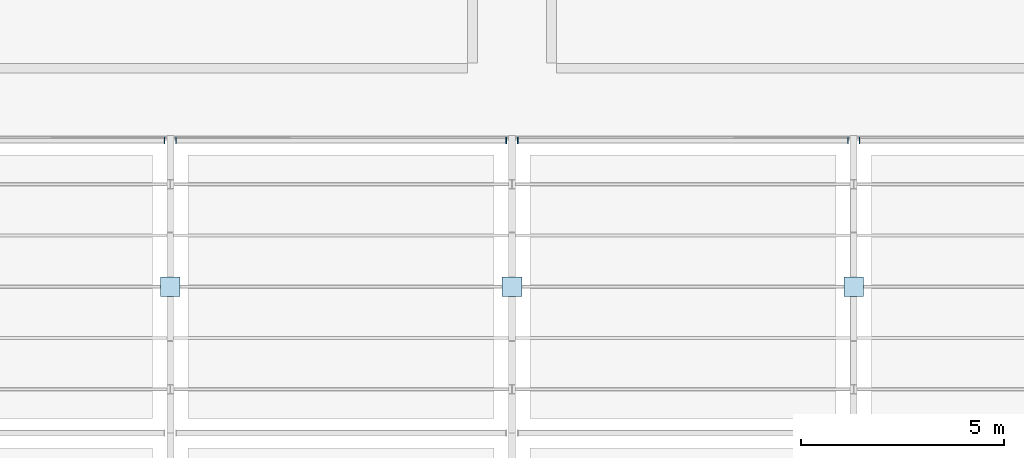
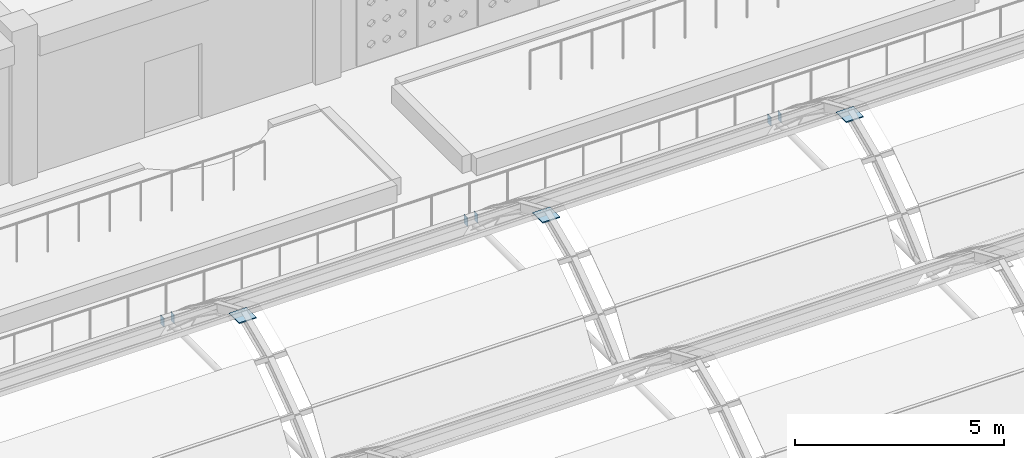
# One storey, part 50 of 100: 9 plates.
"""IFC4 building model written with IfcOpenShell, lengths in metres."""

from ifc_helpers import new_model, si_unit, derived_unit, direction, frame, origin, origin_2d, place, context, subcontext, project, spatial, rectangle, extrude, material, layer, layer_set, type_object, element, save


model = new_model("IFC4")

# Units and contexts
model_context = context("Model", 3, precision=1e-05, world=origin(), true_north=direction((0.0, 1.0)))
body_context = subcontext(model_context, "Body", "Model", "MODEL_VIEW")
ifc_project = project(units=[si_unit("LENGTHUNIT", "METRE"), si_unit("AREAUNIT", "SQUARE_METRE"), si_unit("VOLUMEUNIT", "CUBIC_METRE"), si_unit("PLANEANGLEUNIT", "RADIAN"), si_unit("MASSUNIT", "GRAM", prefix="KILO"), derived_unit("THERMALTRANSMITTANCEUNIT", [(si_unit("POWERUNIT", "WATT"), 1), (si_unit("LENGTHUNIT", "METRE"), -2), (si_unit("THERMODYNAMICTEMPERATUREUNIT", "KELVIN"), -1)])], contexts=[model_context])

# Site, building, storey
site_placement = place(None, origin())
site = spatial("IfcSite", under=ifc_project, at=site_placement, CompositionType="ELEMENT")
building_placement = place(site_placement, origin())
building = spatial("IfcBuilding", under=site, at=building_placement, Name="Veybourne Emporium", CompositionType="ELEMENT")
storey_placement = place(building_placement, frame((0.0, 0.0, 14.39990234375)))
storey = spatial("IfcBuildingStorey", under=building, at=storey_placement, Name="L03", CompositionType="ELEMENT", Elevation=14.39990234375)

# Plates
ifc_material = material(Name="Steel S355", Category="steel")
ifc_layer_1 = layer(ifc_material, 0.030029296875)
ifc_layer_set_1 = layer_set([ifc_layer_1], Name="Steel S355")
plate_type_1 = type_object("IfcPlateType", Name="NodePlate_BP-02", PredefinedType="USERDEFINED", material=ifc_layer_set_1)
for number, where, z_axis, x_axis, name in (
    (1, (67.199951171875, 18.0, 2.4052734375), (0.0, 0.0, 1.0), (1.0, 0.0, 0.0), "Arcade arch ridge plate VB-02"),
    (2, (75.60009765625, 18.0, 2.4052734375), (0.0, 0.0, 1.0), (1.0, 0.0, 0.0), "Arcade arch ridge plate VB-03"),
    (3, (84.0, 18.0, 2.4052734375), (0.0, 0.0, 1.0), (1.0, 0.0, 0.0), "Arcade arch ridge plate VB-04"),
):
    element("IfcPlate", number, at=place(storey_placement, frame(where, z_axis=z_axis, x_axis=x_axis)), inside=storey, type_object=plate_type_1, Name=name, ObjectType="BASE_PLATE", PredefinedType="USERDEFINED", context=body_context, shape_type="SweptSolid", body=[
        extrude(rectangle(XDim=0.47998046875, YDim=0.47998046875, at=origin_2d()), origin(), (0.0, 0.0, 1.0), 0.030029296875),
    ])
ifc_layer_2 = layer(ifc_material, 0.01611328125)
ifc_layer_set_2 = layer_set([ifc_layer_2], Name="Steel S355")
plate_type_2 = type_object("IfcPlateType", Name="NodePlate_CP-01", PredefinedType="USERDEFINED", material=ifc_layer_set_2)
for number, where, z_axis, x_axis, name in (
    (4, (67.05810546875, 21.60009765625, -0.0048828125), (0.0, 0.0, 1.0), (1.0, 0.0, 0.0), "Welded hollow-section end cap plate CP-01 (VSPR-B1-Y22-E)"),
    (5, (67.342041015625, 21.60009765625, -0.0048828125), (0.0, 0.0, 1.0), (1.0, 0.0, 0.0), "Welded hollow-section end cap plate CP-01 (VSPR-B2-Y22-W)"),
    (6, (75.4580078125, 21.60009765625, -0.0048828125), (0.0, 0.0, 1.0), (1.0, 0.0, 0.0), "Welded hollow-section end cap plate CP-01 (VSPR-B2-Y22-E)"),
    (7, (75.741943359375, 21.60009765625, -0.0048828125), (0.0, 0.0, 1.0), (1.0, 0.0, 0.0), "Welded hollow-section end cap plate CP-01 (VSPR-B3-Y22-W)"),
    (8, (83.85791015625, 21.60009765625, -0.0048828125), (0.0, 0.0, 1.0), (1.0, 0.0, 0.0), "Welded hollow-section end cap plate CP-01 (VSPR-B3-Y22-E)"),
    (9, (84.14208984375, 21.60009765625, -0.0048828125), (0.0, 0.0, 1.0), (1.0, 0.0, 0.0), "Welded hollow-section end cap plate CP-01 (VSPR-B4-Y22-W)"),
):
    element("IfcPlate", number, at=place(storey_placement, frame(where, z_axis=z_axis, x_axis=x_axis)), inside=storey, type_object=plate_type_2, Name=name, ObjectType="CAP_PLATE", PredefinedType="USERDEFINED", context=body_context, shape_type="SweptSolid", body=[
        extrude(rectangle(XDim=0.01611328125, YDim=0.159912109375, at=origin_2d()), origin(), (0.0, 0.0, 1.0), 0.260009765625),
    ])

save(model, "model.ifc")
